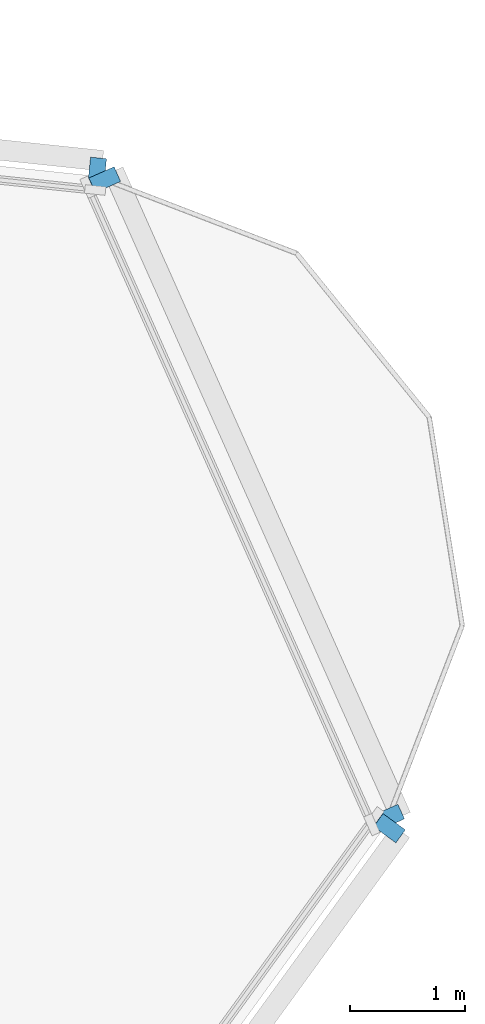
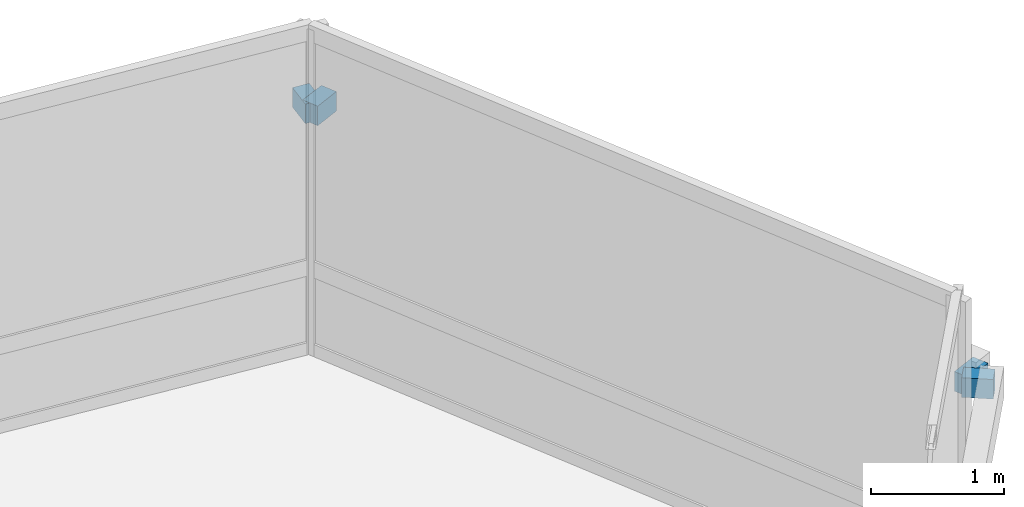
# One storey, part 11 of 14: 4 discrete accessories.
"""IFC4 building model written with IfcOpenShell, lengths in metres."""

from ifc_helpers import new_model, si_unit, direction, frame, origin, origin_2d, place, context, subcontext, project, spatial, rectangle, extrude, material, type_object, element, save


model = new_model("IFC4")

# Units and contexts
model_context = context("Model", 3, precision=1e-05, world=origin(), true_north=direction((0.0, 1.0)))
body_context = subcontext(model_context, "Body", "Model", "MODEL_VIEW")
ifc_project = project(units=[si_unit("LENGTHUNIT", "METRE"), si_unit("AREAUNIT", "SQUARE_METRE"), si_unit("VOLUMEUNIT", "CUBIC_METRE"), si_unit("PLANEANGLEUNIT", "RADIAN"), si_unit("MASSUNIT", "GRAM", prefix="KILO")], contexts=[model_context])

# Site, building, storey
site_placement = place(None, origin())
site = spatial("IfcSite", under=ifc_project, at=site_placement, CompositionType="ELEMENT")
building_placement = place(site_placement, origin())
building = spatial("IfcBuilding", under=site, at=building_placement, Name="Terralouvre Media Tower", CompositionType="ELEMENT")
storey_placement = place(building_placement, frame((0.0, 0.0, 222.60009765625)))
storey = spatial("IfcBuildingStorey", under=building, at=storey_placement, Name="L57", CompositionType="ELEMENT", Elevation=222.60009765625)

# Discrete accessories
ifc_material = material(Name="Anodised extruded aluminium 6063-T6", Category="aluminium")
discrete_accessory_type = type_object("IfcDiscreteAccessoryType", Name="Mullion Stand-Off Baguette Fixing Bracket BK-01", PredefinedType="BRACKET", material=ifc_material)
for number, where, z_axis, x_axis, name in (
    (1, (26.880615234375, 8.544189453125, 2.07373046875), (0.0, 0.0, 1.0), (0.587785300879, 0.809016959074, 0.0), "CW-L57-F0 Baguette Outrigger Bracket 1.06"),
    (2, (24.336181640625, 14.259033203125, 2.07373046875), (0.0, 0.0, 1.0), (-0.994521885028, 0.104528561651, 0.0), "CW-L57-F1 Baguette Outrigger Bracket 1.01"),
    (3, (26.873291015625, 8.640380859375, 2.07373046875), (0.0, 0.0, 1.0), (-0.406737441315, 0.913545102243, 0.0), "CW-L57-C1 Baguette Outrigger Bracket 1.01"),
    (4, (24.40283203125, 14.189208984375, 2.07373046875), (0.0, 0.0, 1.0), (-0.406737441315, 0.913545102243, 0.0), "CW-L57-C1 Baguette Outrigger Bracket 1.02"),
):
    element("IfcDiscreteAccessory", number, at=place(storey_placement, frame(where, z_axis=z_axis, x_axis=x_axis)), inside=storey, type_object=discrete_accessory_type, Name=name, PredefinedType="BRACKET", context=body_context, shape_type="SweptSolid", body=[
        extrude(rectangle(XDim=0.139892578125, YDim=0.239990234375, at=origin_2d()), origin(), (0.0, 0.0, 1.0), 0.179931640625),
    ])

save(model, "model.ifc")
